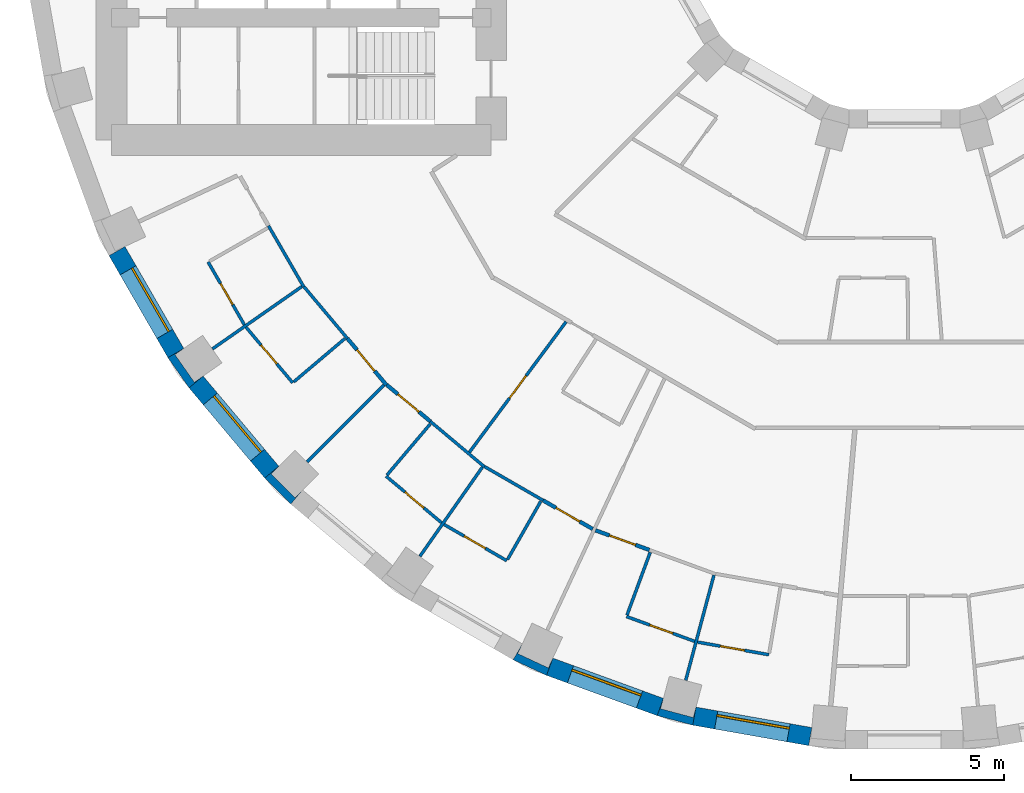
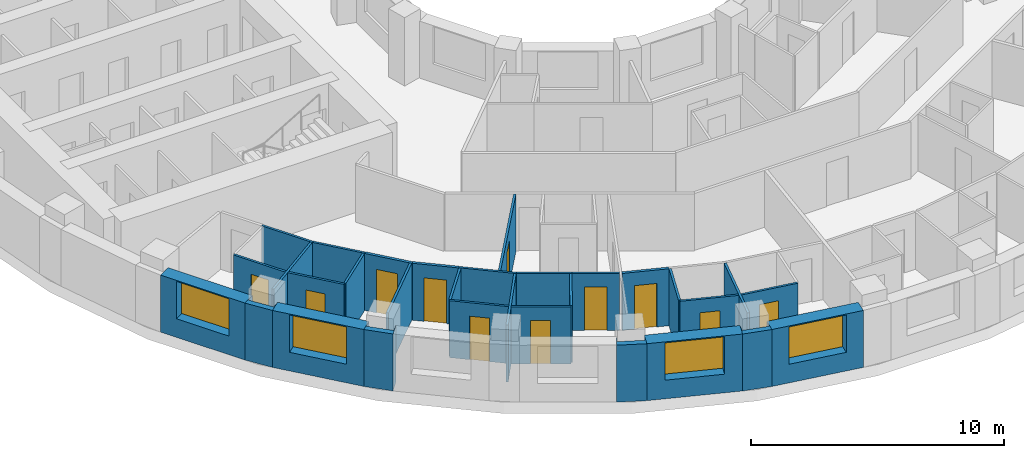
# One storey, part 4 of 15: 31 walls, 11 doors, 4 windows, 15 openings.
"""IFC4 building model written with IfcOpenShell, lengths in metres."""

import ifcopenshell
import ifcopenshell.guid

model = None  # the IFC model being written
_history = None  # IfcOwnerHistory: only IFC2X3 demands one
_inside = {}  # id of a spatial element -> (the spatial element, [elements in it])
_under = {}  # id of a project, library or spatial element -> (it, [spatial elements below it])
_declared = {}  # id of a project -> (the project, [libraries it declares])
_typed = {}  # id of a type object -> (the type object, [elements of that type])
_made_of = {}  # id of a material, layer set ... -> (it, [elements and type objects made of it])


def new_model(schema):
    """Start an empty IFC model of exactly this schema.

    Asked for "IFC4X3", IfcOpenShell would pick the latest addendum, in which some entities
    have other attributes; the version numbers below select the first issue.
    IFC2X3 requires an IfcOwnerHistory on every rooted entity: one is made here for all.
    """
    global model, _history
    if schema == "IFC4X3":
        model = ifcopenshell.file(schema_version=(4, 3, 0, 0))
    else:
        model = ifcopenshell.file(schema=schema)
    _inside.clear()
    _under.clear()
    _declared.clear()
    _typed.clear()
    _made_of.clear()
    _history = None
    if model.schema == "IFC2X3":
        org = make("IfcOrganization", Name="unknown")
        user = make(
            "IfcPersonAndOrganization",
            ThePerson=make("IfcPerson", FamilyName="unknown"),
            TheOrganization=org,
        )
        app = make(
            "IfcApplication",
            ApplicationDeveloper=org,
            Version="unknown",
            ApplicationFullName="unknown",
            ApplicationIdentifier="unknown",
        )
        _history = make(
            "IfcOwnerHistory",
            OwningUser=user,
            OwningApplication=app,
            ChangeAction="ADDED",
            CreationDate=0,
        )
    return model


def make(cls, **values):
    """One entity of the class cls with the attributes given. An attribute that is None is left unset."""
    return model.create_entity(
        cls, **{name: value for name, value in values.items() if value is not None}
    )


def rooted(cls, **values):
    """An entity with a GlobalId (a new one), such as an element, a storey or a relation."""
    return make(cls, GlobalId=ifcopenshell.guid.new(), OwnerHistory=_history, **values)


def si_unit(unit_type, name, prefix=None):
    """IfcSIUnit, for example si_unit("LENGTHUNIT", "METRE", prefix="MILLI")."""
    return make("IfcSIUnit", UnitType=unit_type, Prefix=prefix, Name=name)


def assignment(units):
    """IfcUnitAssignment: the units of a project."""
    return None if units is None else make("IfcUnitAssignment", Units=units)


def point(xyz):
    """IfcCartesianPoint."""
    return None if xyz is None else make("IfcCartesianPoint", Coordinates=xyz)


def direction(xyz):
    """IfcDirection."""
    return None if xyz is None else make("IfcDirection", DirectionRatios=xyz)


def frame(location, z_axis=None, x_axis=None):
    """IfcAxis2Placement3D, a coordinate frame: its origin and axes. An axis left out is left unset."""
    return make(
        "IfcAxis2Placement3D",
        Location=point(location),
        Axis=direction(z_axis),
        RefDirection=direction(x_axis),
    )


def frame_2d(location, x_axis=None):
    """IfcAxis2Placement2D, a coordinate frame in the plane: its origin and x axis."""
    return make(
        "IfcAxis2Placement2D", Location=point(location), RefDirection=direction(x_axis)
    )


def origin():
    """The frame at (0, 0, 0) with its axes left unset."""
    return frame((0.0, 0.0, 0.0))


def place(relative_to, where):
    """IfcLocalPlacement: puts the frame where relative to a parent placement (None: the world)."""
    return make(
        "IfcLocalPlacement", PlacementRelTo=relative_to, RelativePlacement=where
    )


def context(
    kind, dimensions, precision=None, world=None, true_north=None, identifier=None
):
    """IfcGeometricRepresentationContext, for example the 3D "Model" context."""
    return make(
        "IfcGeometricRepresentationContext",
        ContextIdentifier=identifier,
        ContextType=kind,
        CoordinateSpaceDimension=dimensions,
        Precision=precision,
        WorldCoordinateSystem=world,
        TrueNorth=true_north,
    )


def subcontext(parent, identifier, kind, view, scale=None):
    """IfcGeometricRepresentationSubContext, for example "Body" below "Model"."""
    return make(
        "IfcGeometricRepresentationSubContext",
        ContextIdentifier=identifier,
        ContextType=kind,
        ParentContext=parent,
        TargetScale=scale,
        TargetView=view,
    )


def project(units=None, contexts=None):
    """IfcProject with its units and contexts."""
    return rooted(
        "IfcProject",
        Name="project",
        RepresentationContexts=contexts,
        UnitsInContext=assignment(units),
    )


def spatial(cls, under=None, at=None, **own):
    """A site, building, storey or space (cls), placed at a placement, below another one or the project."""
    s = rooted(cls, ObjectPlacement=at, **own)
    if under is not None:
        _under.setdefault(under.id(), (under, []))[1].append(s)
    return s


def polyline(points):
    """IfcPolyline through the points."""
    return make("IfcPolyline", Points=[point(p) for p in points])


def profile(cls, at=None, kind="AREA", **sizes):
    """A parametric profile (cls). Its sizes go by their IFC names, for example OverallWidth=200.0."""
    return make(cls, ProfileType=kind, Position=at, **sizes)


def rectangle(**sizes):
    """IfcRectangleProfileDef."""
    return profile("IfcRectangleProfileDef", **sizes)


def outline(outer, holes=None, kind="AREA"):
    """IfcArbitraryClosedProfileDef: a profile drawn as a closed curve; with holes, ...WithVoids."""
    if holes is None:
        return make("IfcArbitraryClosedProfileDef", ProfileType=kind, OuterCurve=outer)
    return make(
        "IfcArbitraryProfileDefWithVoids",
        ProfileType=kind,
        OuterCurve=outer,
        InnerCurves=holes,
    )


def extrude(swept, where, along, depth):
    """IfcExtrudedAreaSolid: the profile swept, set in the frame where, extruded along a direction by depth."""
    return make(
        "IfcExtrudedAreaSolid",
        SweptArea=swept,
        Position=where,
        ExtrudedDirection=direction(along),
        Depth=depth,
    )


def shape(context_of_items, identifier, shape_type, items):
    """IfcShapeRepresentation: the items that make up one representation, for example the "Body"."""
    return make(
        "IfcShapeRepresentation",
        ContextOfItems=context_of_items,
        RepresentationIdentifier=identifier,
        RepresentationType=shape_type,
        Items=items,
    )


def material(Name=None, Category=None):
    """IfcMaterial."""
    return make("IfcMaterial", Name=Name, Category=Category)


def layer(
    of_material, thickness, ventilated=None, Name=None, Category=None, Priority=None
):
    """IfcMaterialLayer: one layer of a wall or slab, of a material (None: an air gap)."""
    return make(
        "IfcMaterialLayer",
        Material=of_material,
        LayerThickness=thickness,
        IsVentilated=ventilated,
        Name=Name,
        Category=Category,
        Priority=Priority,
    )


def layer_set(layers, Name=None):
    """IfcMaterialLayerSet."""
    return make("IfcMaterialLayerSet", MaterialLayers=layers, LayerSetName=Name)


def made_of(thing, what):
    """Note that an element or type object is made of a material, layer set ...; save() writes the relation."""
    if what is not None:
        _made_of.setdefault(what.id(), (what, []))[1].append(thing)
    return thing


def type_object(cls, material=None, **own):
    """A type object (cls), such as IfcWallType, which elements share."""
    return made_of(rooted(cls, **own), material)


def element(
    cls,
    number,
    at=None,
    inside=None,
    cuts=None,
    type_object=None,
    material=None,
    context=None,
    identifier="Body",
    shape_type=None,
    held_by="IfcProductDefinitionShape",
    body=None,
    shapes=None,
    **own,
):
    """One element of the class cls, such as IfcWall. Its Tag is "e" and its number.

    at: its placement. inside: the storey or other place that contains it. cuts: it is an
    opening in that element (IfcRelVoidsElement). A single representation is given by context,
    identifier, shape_type and body (its items); several are given by shapes. held_by: the class
    of the entity that holds the representations. save() writes the other relations.
    """
    e = rooted(cls, Tag="e%d" % number, ObjectPlacement=at, **own)
    if body is not None:
        shapes = [shape(context, identifier, shape_type, body)]
    if shapes is not None:
        e.Representation = make(held_by, Representations=shapes)
    if inside is not None:
        _inside.setdefault(inside.id(), (inside, []))[1].append(e)
    if cuts is not None:
        rooted(
            "IfcRelVoidsElement", RelatingBuildingElement=cuts, RelatedOpeningElement=e
        )
    if type_object is not None:
        _typed.setdefault(type_object.id(), (type_object, []))[1].append(e)
    return made_of(e, material)


def fill(opening, filler):
    """IfcRelFillsElement: the door or window that sits in an opening."""
    return rooted(
        "IfcRelFillsElement",
        RelatingOpeningElement=opening,
        RelatedBuildingElement=filler,
    )


def aggregate(whole, parts):
    """IfcRelAggregates: a whole, such as a stair, and the parts it consists of."""
    return rooted("IfcRelAggregates", RelatingObject=whole, RelatedObjects=parts)


def save(model, path):
    """Write the relations noted so far, then the file.

    IfcRelAggregates (storeys below a building ...), IfcRelContainedInSpatialStructure (elements
    in a storey), IfcRelDefinesByType, IfcRelAssociatesMaterial and IfcRelDeclares: one each for
    every whole, place, type object, material and project.
    """
    for whole, parts in _under.values():
        aggregate(whole, parts)
    for where, things in _inside.values():
        rooted(
            "IfcRelContainedInSpatialStructure",
            RelatedElements=things,
            RelatingStructure=where,
        )
    for kind, things in _typed.values():
        rooted("IfcRelDefinesByType", RelatedObjects=things, RelatingType=kind)
    for what, things in _made_of.values():
        rooted("IfcRelAssociatesMaterial", RelatedObjects=things, RelatingMaterial=what)
    for by, libraries in _declared.values():
        rooted("IfcRelDeclares", RelatingContext=by, RelatedDefinitions=libraries)
    model.write(path)


model = new_model("IFC4")

# Units and contexts
model_context = context("Model", 3, precision=1e-05, world=origin(), true_north=direction((0.0, 1.0)))
body_context = subcontext(model_context, "Body", "Model", "MODEL_VIEW")
ifc_project = project(units=[si_unit("LENGTHUNIT", "METRE"), si_unit("AREAUNIT", "SQUARE_METRE"), si_unit("VOLUMEUNIT", "CUBIC_METRE"), si_unit("PLANEANGLEUNIT", "RADIAN"), si_unit("MASSUNIT", "GRAM", prefix="KILO")], contexts=[model_context])

# Site, building, storey
site_placement = place(None, origin())
site = spatial("IfcSite", under=ifc_project, at=site_placement, CompositionType="ELEMENT")
building_placement = place(site_placement, origin())
building = spatial("IfcBuilding", under=site, at=building_placement, Name="Saqina Gate Tower", CompositionType="ELEMENT")
storey_placement = place(building_placement, frame((0.0, 0.0, 36.199951171875)))
storey = spatial("IfcBuildingStorey", under=building, at=storey_placement, Name="L09", CompositionType="ELEMENT", Elevation=36.199951171875)

# Walls
ifc_material_1 = material(Name="Brick masonry (red)", Category="masonry")
wall_type_1 = type_object("IfcWallType", Name="BRICK PIER COPING RED", PredefinedType="SOLIDWALL", material=ifc_material_1)
wall_1_placement = place(storey_placement, origin())
element("IfcWall", 1, at=wall_1_placement, inside=storey, type_object=wall_type_1, Name="Pier cap L09 column 22", PredefinedType="SOLIDWALL", context=body_context, shape_type="SweptSolid", body=[
    extrude(outline(polyline([(-24.0576171875, -16.110107421875), (-23.36669921875, -17.096923828125), (-22.9072265625, -16.711181640625), (-23.194091796875, -16.912109375), (-23.8251953125, -16.010986328125), (-23.5380859375, -15.81005859375), (-24.0576171875, -16.110107421875)])), origin(), (0.0, 0.0, 1.0), 2.75),
])
wall_2_placement = place(storey_placement, origin())
element("IfcWall", 2, at=wall_2_placement, inside=storey, type_object=wall_type_1, Name="Pier cap L09 column 23", PredefinedType="SOLIDWALL", context=body_context, shape_type="SweptSolid", body=[
    extrude(outline(polyline([(-20.04296875, -20.894775390625), (-19.6572265625, -20.43505859375), (-19.905029296875, -20.682861328125), (-20.682861328125, -19.905029296875), (-20.43505859375, -19.6572265625), (-20.894775390625, -20.04296875), (-20.04296875, -20.894775390625)])), origin(), (0.0, 0.0, 1.0), 2.75),
])
wall_3_placement = place(storey_placement, origin())
element("IfcWall", 3, at=wall_3_placement, inside=storey, type_object=wall_type_1, Name="Pier cap L09 column 25", PredefinedType="SOLIDWALL", context=body_context, shape_type="SweptSolid", body=[
    extrude(outline(polyline([(-11.687744140625, -26.48974609375), (-11.482666015625, -25.92578125), (-11.630615234375, -26.243408203125), (-12.627685546875, -25.778564453125), (-12.4794921875, -25.4609375), (-12.779541015625, -25.980712890625), (-11.687744140625, -26.48974609375)])), origin(), (0.0, 0.0, 1.0), 2.75),
])
wall_4_placement = place(storey_placement, origin())
element("IfcWall", 4, at=wall_4_placement, inside=storey, type_object=wall_type_1, Name="Pier cap L09 column 26", PredefinedType="SOLIDWALL", context=body_context, shape_type="SweptSolid", body=[
    extrude(outline(polyline([(-6.910400390625, -28.11669921875), (-6.80615234375, -27.52587890625), (-6.896728515625, -27.864501953125), (-7.95947265625, -27.57958984375), (-7.86865234375, -27.2412109375), (-8.073974609375, -27.80517578125), (-6.910400390625, -28.11669921875)])), origin(), (0.0, 0.0, 1.0), 2.75),
])

# Wall, opening, window
ifc_material_2 = material(Name="Brick masonry (red)", Category="masonry")
ifc_layer_1 = layer(ifc_material_2, 0.60009765625)
ifc_layer_set_1 = layer_set([ifc_layer_1], Name="FW-BRICK-RED")
wall_type_2 = type_object("IfcWallType", Name="FW-BRICK-RED", PredefinedType="SOLIDWALL", material=ifc_layer_set_1)
wall_5_placement = place(storey_placement, frame((-25.720703125, -12.629638671875, 0.0), z_axis=(0.0, 0.0, 1.0), x_axis=(0.499989888488, -0.86603124159, 0.0)))
wall_5 = element("IfcWall", 5, at=wall_5_placement, inside=storey, type_object=wall_type_2, Name="Facade wall L09 facet 21", PredefinedType="SOLIDWALL", context=body_context, shape_type="SweptSolid", body=[
    extrude(rectangle(XDim=3.845703125, YDim=0.60009765625, at=frame_2d((1.9228515625, 0.0))), origin(), (0.0, 0.0, 1.0), 2.75),
])
opening_1_placement = place(wall_5_placement, frame((0.722900390625, 0.0, 0.89990234375)))
opening_1 = element("IfcOpeningElement", 6, at=opening_1_placement, cuts=wall_5, Name="Opening G02-W14", PredefinedType="OPENING", context=body_context, shape_type="SweptSolid", body=[
    extrude(rectangle(XDim=2.39990234375, YDim=1.800048828125, at=frame_2d((1.199951171875, 0.89990234375))), frame((0.0, 0.31201171875, 0.0), z_axis=(0.0, -1.0, 0.0), x_axis=(1.0, 0.0, 0.0)), (0.0, 0.0, 1.0), 0.6240234375),
])
ifc_material_3 = material(Name="Aluminium glazing", Category="aluminium")
window_type = type_object("IfcWindowType", Name="WN-A", PartitioningType="SINGLE_PANEL", PredefinedType="WINDOW", material=ifc_material_3)
window_1_placement = place(opening_1_placement, origin())
window_1 = element("IfcWindow", 7, at=window_1_placement, inside=storey, type_object=window_type, Name="Window L09 facet 21", OverallHeight=1.800048828125, OverallWidth=2.39990234375, PartitioningType="SINGLE_PANEL", PredefinedType="WINDOW", context=body_context, shape_type="SweptSolid", body=[
    extrude(rectangle(XDim=2.39990234375, YDim=1.800048828125, at=frame_2d((1.199951171875, 0.89990234375))), frame((0.0, 0.179931640625, 0.0), z_axis=(0.0, -1.0, 0.0), x_axis=(1.0, 0.0, 0.0)), (0.0, 0.0, 1.0), 0.06005859375),
])
fill(opening_1, window_1)

wall_6_placement = place(storey_placement, frame((-23.136962890625, -16.904052734375, 0.0), z_axis=(0.0, 0.0, 1.0), x_axis=(0.642809392687, -0.766026164483, 0.0)))
wall_6 = element("IfcWall", 8, at=wall_6_placement, inside=storey, type_object=wall_type_2, Name="Facade wall L09 facet 22", PredefinedType="SOLIDWALL", context=body_context, shape_type="SweptSolid", body=[
    extrude(rectangle(XDim=3.845947265625, YDim=0.60009765625, at=frame_2d((1.9228515625, 0.0))), origin(), (0.0, 0.0, 1.0), 2.75),
])
opening_2_placement = place(wall_6_placement, frame((0.722900390625, 0.0, 0.89990234375)))
opening_2 = element("IfcOpeningElement", 9, at=opening_2_placement, cuts=wall_6, Name="Opening G02-W15", PredefinedType="OPENING", context=body_context, shape_type="SweptSolid", body=[
    extrude(rectangle(XDim=2.39990234375, YDim=1.800048828125, at=frame_2d((1.199951171875, 0.89990234375))), frame((0.0, 0.31201171875, 0.0), z_axis=(0.0, -1.0, 0.0), x_axis=(1.0, 0.0, 0.0)), (0.0, 0.0, 1.0), 0.6240234375),
])
window_2_placement = place(opening_2_placement, origin())
window_2 = element("IfcWindow", 10, at=window_2_placement, inside=storey, type_object=window_type, Name="Window L09 facet 22", OverallHeight=1.800048828125, OverallWidth=2.39990234375, PartitioningType="SINGLE_PANEL", PredefinedType="WINDOW", context=body_context, shape_type="SweptSolid", body=[
    extrude(rectangle(XDim=2.39990234375, YDim=1.800048828125, at=frame_2d((1.199951171875, 0.89990234375))), frame((0.0, 0.179931640625, 0.0), z_axis=(0.0, -1.0, 0.0), x_axis=(1.0, 0.0, 0.0)), (0.0, 0.0, 1.0), 0.06005859375),
])
fill(opening_2, window_2)

wall_7_placement = place(storey_placement, frame((-11.585205078125, -26.207763671875, 0.0), z_axis=(0.0, 0.0, 1.0), x_axis=(0.939689588564, -0.342028474173, 0.0)))
wall_7 = element("IfcWall", 11, at=wall_7_placement, inside=storey, type_object=wall_type_2, Name="Facade wall L09 facet 25", PredefinedType="SOLIDWALL", context=body_context, shape_type="SweptSolid", body=[
    extrude(rectangle(XDim=3.845947265625, YDim=0.60009765625, at=frame_2d((1.9228515625, 0.0))), origin(), (0.0, 0.0, 1.0), 2.75),
])
opening_3_placement = place(wall_7_placement, frame((0.722900390625, 0.0, 0.89990234375)))
opening_3 = element("IfcOpeningElement", 12, at=opening_3_placement, cuts=wall_7, Name="Opening G02-W18", PredefinedType="OPENING", context=body_context, shape_type="SweptSolid", body=[
    extrude(rectangle(XDim=2.39990234375, YDim=1.800048828125, at=frame_2d((1.199951171875, 0.89990234375))), frame((0.0, 0.31201171875, 0.0), z_axis=(0.0, -1.0, 0.0), x_axis=(1.0, 0.0, 0.0)), (0.0, 0.0, 1.0), 0.6240234375),
])
window_3_placement = place(opening_3_placement, origin())
window_3 = element("IfcWindow", 13, at=window_3_placement, inside=storey, type_object=window_type, Name="Window L09 facet 25", OverallHeight=1.800048828125, OverallWidth=2.39990234375, PartitioningType="SINGLE_PANEL", PredefinedType="WINDOW", context=body_context, shape_type="SweptSolid", body=[
    extrude(rectangle(XDim=2.39990234375, YDim=1.800048828125, at=frame_2d((1.199951171875, 0.89990234375))), frame((0.0, 0.179931640625, 0.0), z_axis=(0.0, -1.0, 0.0), x_axis=(1.0, 0.0, 0.0)), (0.0, 0.0, 1.0), 0.06005859375),
])
fill(opening_3, window_3)

wall_8_placement = place(storey_placement, frame((-6.858154296875, -27.8212890625, 0.0), z_axis=(0.0, 0.0, 1.0), x_axis=(0.984800809218, -0.173687553279, 0.0)))
wall_8 = element("IfcWall", 14, at=wall_8_placement, inside=storey, type_object=wall_type_2, Name="Facade wall L09 facet 26", PredefinedType="SOLIDWALL", context=body_context, shape_type="SweptSolid", body=[
    extrude(rectangle(XDim=3.845703125, YDim=0.60009765625, at=frame_2d((1.9228515625, 0.0))), origin(), (0.0, 0.0, 1.0), 2.75),
])
opening_4_placement = place(wall_8_placement, frame((0.722900390625, 0.0, 0.89990234375)))
opening_4 = element("IfcOpeningElement", 15, at=opening_4_placement, cuts=wall_8, Name="Opening G02-W19", PredefinedType="OPENING", context=body_context, shape_type="SweptSolid", body=[
    extrude(rectangle(XDim=2.39990234375, YDim=1.800048828125, at=frame_2d((1.199951171875, 0.89990234375))), frame((0.0, 0.31201171875, 0.0), z_axis=(0.0, -1.0, 0.0), x_axis=(1.0, 0.0, 0.0)), (0.0, 0.0, 1.0), 0.6240234375),
])
window_4_placement = place(opening_4_placement, origin())
window_4 = element("IfcWindow", 16, at=window_4_placement, inside=storey, type_object=window_type, Name="Window L09 facet 26", OverallHeight=1.800048828125, OverallWidth=2.39990234375, PartitioningType="SINGLE_PANEL", PredefinedType="WINDOW", context=body_context, shape_type="SweptSolid", body=[
    extrude(rectangle(XDim=2.39990234375, YDim=1.800048828125, at=frame_2d((1.199951171875, 0.89990234375))), frame((0.0, 0.179931640625, 0.0), z_axis=(0.0, -1.0, 0.0), x_axis=(1.0, 0.0, 0.0)), (0.0, 0.0, 1.0), 0.06005859375),
])
fill(opening_4, window_4)

# Wall, opening, door
ifc_material_4 = material(Name="Gypsum board on steel studs, 100 mm", Category="steel")
ifc_layer_2 = layer(ifc_material_4, 0.10009765625)
ifc_layer_set_2 = layer_set([ifc_layer_2], Name="PARTITION 100")
wall_type_3 = type_object("IfcWallType", Name="PARTITION 100", PredefinedType="PARTITIONING", material=ifc_layer_set_2)
wall_9_placement = place(storey_placement, frame((-22.743896484375, -12.985107421875, 0.0), z_axis=(0.0, 0.0, 1.0), x_axis=(0.499987246797, -0.866032766724, 0.0)))
wall_9 = element("IfcWall", 17, at=wall_9_placement, inside=storey, type_object=wall_type_3, Name="PARTITION PW3-23", PredefinedType="PARTITIONING", context=body_context, shape_type="SweptSolid", body=[
    extrude(rectangle(XDim=2.36767578125, YDim=0.10009765625, at=frame_2d((1.183837890625, 0.0))), origin(), (0.0, 0.0, 1.0), 2.75),
])
opening_5_placement = place(wall_9_placement, frame((0.80908203125, 0.0, 0.0)))
opening_5 = element("IfcOpeningElement", 18, at=opening_5_placement, cuts=wall_9, Name="Opening G02-D33", PredefinedType="OPENING", context=body_context, shape_type="SweptSolid", body=[
    extrude(rectangle(XDim=0.800048828125, YDim=2.10009765625, at=frame_2d((0.39990234375, 1.050048828125))), frame((0.0, 0.06201171875, 0.0), z_axis=(0.0, -1.0, 0.0), x_axis=(1.0, 0.0, 0.0)), (0.0, 0.0, 1.0), 0.1240234375),
])
ifc_material_5 = material(Name="Timber door leaf, 800 mm", Category="wood")
door_type_1 = type_object("IfcDoorType", Name="DOOR 800 TIMBER", OperationType="SINGLE_SWING_LEFT", PredefinedType="DOOR", material=ifc_material_5)
door_1_placement = place(opening_5_placement, frame((0.800048828125, 0.0, 0.0), z_axis=(0.0, 0.0, 1.0), x_axis=(-1.0, 0.0, 0.0)))
door_1 = element("IfcDoor", 19, at=door_1_placement, inside=storey, type_object=door_type_1, Name="DOOR G02-D33", OperationType="SINGLE_SWING_LEFT", OverallHeight=2.10009765625, OverallWidth=0.800048828125, PredefinedType="DOOR", context=body_context, shape_type="SweptSolid", body=[
    extrude(rectangle(XDim=0.800048828125, YDim=2.10009765625, at=frame_2d((0.39990234375, 1.050048828125))), frame((0.0, 0.02490234375, 0.0), z_axis=(0.0, -1.0, 0.0), x_axis=(1.0, 0.0, 0.0)), (0.0, 0.0, 1.0), 0.050048828125),
])
fill(opening_5, door_1)

# Wall
wall_10_placement = place(storey_placement, frame((-20.77197265625, -11.8017578125, 0.0), z_axis=(0.0, 0.0, 1.0), x_axis=(0.500055369823, -0.865993433642, 0.0)))
element("IfcWall", 20, at=wall_10_placement, inside=storey, type_object=wall_type_3, Name="PARTITION PW3-24", PredefinedType="PARTITIONING", context=body_context, shape_type="SweptSolid", body=[
    extrude(rectangle(XDim=2.306396484375, YDim=0.10009765625, at=frame_2d((1.1533203125, 0.0))), origin(), (0.0, 0.0, 1.0), 2.75),
])

# Wall, opening, door
wall_11_placement = place(storey_placement, frame((-21.5029296875, -15.1171875, 0.0), z_axis=(0.0, 0.0, 1.0), x_axis=(0.642807507344, -0.766027746561, 0.0)))
wall_11 = element("IfcWall", 21, at=wall_11_placement, inside=storey, type_object=wall_type_3, Name="PARTITION PW3-30", PredefinedType="PARTITIONING", context=body_context, shape_type="SweptSolid", body=[
    extrude(rectangle(XDim=2.36767578125, YDim=0.10009765625, at=frame_2d((1.183837890625, 0.0))), origin(), (0.0, 0.0, 1.0), 2.75),
])
opening_6_placement = place(wall_11_placement, frame((0.7587890625, 0.0, 0.0)))
opening_6 = element("IfcOpeningElement", 22, at=opening_6_placement, cuts=wall_11, Name="Opening G02-D34", PredefinedType="OPENING", context=body_context, shape_type="SweptSolid", body=[
    extrude(rectangle(XDim=0.800048828125, YDim=2.10009765625, at=frame_2d((0.39990234375, 1.050048828125))), frame((0.0, 0.06201171875, 0.0), z_axis=(0.0, -1.0, 0.0), x_axis=(1.0, 0.0, 0.0)), (0.0, 0.0, 1.0), 0.1240234375),
])
door_2_placement = place(opening_6_placement, frame((0.800048828125, 0.0, 0.0), z_axis=(0.0, 0.0, 1.0), x_axis=(-1.0, 0.0, 0.0)))
door_2 = element("IfcDoor", 23, at=door_2_placement, inside=storey, type_object=door_type_1, Name="DOOR G02-D34", OperationType="SINGLE_SWING_RIGHT", OverallHeight=2.10009765625, OverallWidth=0.800048828125, PredefinedType="DOOR", context=body_context, shape_type="SweptSolid", body=[
    extrude(rectangle(XDim=0.800048828125, YDim=2.10009765625, at=frame_2d((0.39990234375, 1.050048828125))), frame((0.0, 0.02490234375, 0.0), z_axis=(0.0, -1.0, 0.0), x_axis=(1.0, 0.0, 0.0)), (0.0, 0.0, 1.0), 0.050048828125),
])
fill(opening_6, door_2)

# Wall
wall_12_placement = place(storey_placement, frame((-19.61181640625, -13.793212890625, 0.0), z_axis=(0.0, 0.0, 1.0), x_axis=(0.642989550085, -0.765874949637, 0.0)))
element("IfcWall", 24, at=wall_12_placement, inside=storey, type_object=wall_type_3, Name="PARTITION PW3-31", PredefinedType="PARTITIONING", context=body_context, shape_type="SweptSolid", body=[
    extrude(rectangle(XDim=2.205322265625, YDim=0.10009765625, at=frame_2d((1.1025390625, 0.0))), origin(), (0.0, 0.0, 1.0), 2.75),
])

# Wall, opening, door
wall_13_placement = place(storey_placement, frame((-16.930908203125, -19.98095703125, 0.0), z_axis=(0.0, 0.0, 1.0), x_axis=(0.766027746561, -0.642807507344, 0.0)))
wall_13 = element("IfcWall", 25, at=wall_13_placement, inside=storey, type_object=wall_type_3, Name="PARTITION PW3-36", PredefinedType="PARTITIONING", context=body_context, shape_type="SweptSolid", body=[
    extrude(rectangle(XDim=2.36767578125, YDim=0.10009765625, at=frame_2d((1.183837890625, 0.0))), origin(), (0.0, 0.0, 1.0), 2.75),
])
opening_7_placement = place(wall_13_placement, frame((0.808837890625, 0.0, 0.0)))
opening_7 = element("IfcOpeningElement", 26, at=opening_7_placement, cuts=wall_13, Name="Opening G02-D37", PredefinedType="OPENING", context=body_context, shape_type="SweptSolid", body=[
    extrude(rectangle(XDim=0.800048828125, YDim=2.10009765625, at=frame_2d((0.39990234375, 1.050048828125))), frame((0.0, 0.06201171875, 0.0), z_axis=(0.0, -1.0, 0.0), x_axis=(1.0, 0.0, 0.0)), (0.0, 0.0, 1.0), 0.1240234375),
])
door_3_placement = place(opening_7_placement, frame((0.800048828125, 0.0, 0.0), z_axis=(0.0, 0.0, 1.0), x_axis=(-1.0, 0.0, 0.0)))
door_3 = element("IfcDoor", 27, at=door_3_placement, inside=storey, type_object=door_type_1, Name="DOOR G02-D37", OperationType="SINGLE_SWING_LEFT", OverallHeight=2.10009765625, OverallWidth=0.800048828125, PredefinedType="DOOR", context=body_context, shape_type="SweptSolid", body=[
    extrude(rectangle(XDim=0.800048828125, YDim=2.10009765625, at=frame_2d((0.39990234375, 1.050048828125))), frame((0.0, 0.02490234375, 0.0), z_axis=(0.0, -1.0, 0.0), x_axis=(1.0, 0.0, 0.0)), (0.0, 0.0, 1.0), 0.050048828125),
])
fill(opening_7, door_3)

# Wall
wall_14_placement = place(storey_placement, frame((-15.482177734375, -18.19384765625, 0.0), z_axis=(0.0, 0.0, 1.0), x_axis=(0.765838323525, -0.643033173499, 0.0)))
element("IfcWall", 28, at=wall_14_placement, inside=storey, type_object=wall_type_3, Name="PARTITION PW3-37", PredefinedType="PARTITIONING", context=body_context, shape_type="SweptSolid", body=[
    extrude(rectangle(XDim=2.30615234375, YDim=0.10009765625, at=frame_2d((1.153076171875, 0.0))), origin(), (0.0, 0.0, 1.0), 2.75),
])

# Wall, opening, door
wall_15_placement = place(storey_placement, frame((-15.03564453125, -21.56005859375, 0.0), z_axis=(0.0, 0.0, 1.0), x_axis=(0.866032766724, -0.499987246797, 0.0)))
wall_15 = element("IfcWall", 29, at=wall_15_placement, inside=storey, type_object=wall_type_3, Name="PARTITION PW3-40", PredefinedType="PARTITIONING", context=body_context, shape_type="SweptSolid", body=[
    extrude(rectangle(XDim=2.36767578125, YDim=0.10009765625, at=frame_2d((1.183837890625, 0.0))), origin(), (0.0, 0.0, 1.0), 2.75),
])
opening_8_placement = place(wall_15_placement, frame((0.759033203125, 0.0, 0.0)))
opening_8 = element("IfcOpeningElement", 30, at=opening_8_placement, cuts=wall_15, Name="Opening G02-D41", PredefinedType="OPENING", context=body_context, shape_type="SweptSolid", body=[
    extrude(rectangle(XDim=0.800048828125, YDim=2.10009765625, at=frame_2d((0.39990234375, 1.050048828125))), frame((0.0, 0.06201171875, 0.0), z_axis=(0.0, -1.0, 0.0), x_axis=(1.0, 0.0, 0.0)), (0.0, 0.0, 1.0), 0.1240234375),
])
door_4_placement = place(opening_8_placement, frame((0.800048828125, 0.0, 0.0), z_axis=(0.0, 0.0, 1.0), x_axis=(-1.0, 0.0, 0.0)))
door_4 = element("IfcDoor", 31, at=door_4_placement, inside=storey, type_object=door_type_1, Name="DOOR G02-D41", OperationType="SINGLE_SWING_RIGHT", OverallHeight=2.10009765625, OverallWidth=0.800048828125, PredefinedType="DOOR", context=body_context, shape_type="SweptSolid", body=[
    extrude(rectangle(XDim=0.800048828125, YDim=2.10009765625, at=frame_2d((0.39990234375, 1.050048828125))), frame((0.0, 0.02490234375, 0.0), z_axis=(0.0, -1.0, 0.0), x_axis=(1.0, 0.0, 0.0)), (0.0, 0.0, 1.0), 0.050048828125),
])
fill(opening_8, door_4)

# Wall
wall_16_placement = place(storey_placement, frame((-13.711669921875, -19.6689453125, 0.0), z_axis=(0.0, 0.0, 1.0), x_axis=(0.865958826185, -0.500115298058, 0.0)))
element("IfcWall", 32, at=wall_16_placement, inside=storey, type_object=wall_type_3, Name="PARTITION PW3-41", PredefinedType="PARTITIONING", context=body_context, shape_type="SweptSolid", body=[
    extrude(rectangle(XDim=2.20556640625, YDim=0.10009765625, at=frame_2d((1.102783203125, 0.0))), origin(), (0.0, 0.0, 1.0), 2.75),
])

# Wall, opening, door
wall_17_placement = place(storey_placement, frame((-9.075927734375, -24.56689453125, 0.0), z_axis=(0.0, 0.0, 1.0), x_axis=(0.939654860842, -0.342123870106, 0.0)))
wall_17 = element("IfcWall", 33, at=wall_17_placement, inside=storey, type_object=wall_type_3, Name="PARTITION PW3-49", PredefinedType="PARTITIONING", context=body_context, shape_type="SweptSolid", body=[
    extrude(rectangle(XDim=2.36767578125, YDim=0.10009765625, at=frame_2d((1.183837890625, 0.0))), origin(), (0.0, 0.0, 1.0), 2.75),
])
opening_9_placement = place(wall_17_placement, frame((0.808837890625, 0.0, 0.0)))
opening_9 = element("IfcOpeningElement", 34, at=opening_9_placement, cuts=wall_17, Name="Opening G02-D47", PredefinedType="OPENING", context=body_context, shape_type="SweptSolid", body=[
    extrude(rectangle(XDim=0.800048828125, YDim=2.10009765625, at=frame_2d((0.39990234375, 1.050048828125))), frame((0.0, 0.06201171875, 0.0), z_axis=(0.0, -1.0, 0.0), x_axis=(1.0, 0.0, 0.0)), (0.0, 0.0, 1.0), 0.1240234375),
])
door_5_placement = place(opening_9_placement, frame((0.800048828125, 0.0, 0.0), z_axis=(0.0, 0.0, 1.0), x_axis=(-1.0, 0.0, 0.0)))
door_5 = element("IfcDoor", 35, at=door_5_placement, inside=storey, type_object=door_type_1, Name="DOOR G02-D47", OperationType="SINGLE_SWING_LEFT", OverallHeight=2.10009765625, OverallWidth=0.800048828125, PredefinedType="DOOR", context=body_context, shape_type="SweptSolid", body=[
    extrude(rectangle(XDim=0.800048828125, YDim=2.10009765625, at=frame_2d((0.39990234375, 1.050048828125))), frame((0.0, 0.02490234375, 0.0), z_axis=(0.0, -1.0, 0.0), x_axis=(1.0, 0.0, 0.0)), (0.0, 0.0, 1.0), 0.050048828125),
])
fill(opening_9, door_5)

wall_18_placement = place(storey_placement, frame((-6.754638671875, -25.402587890625, 0.0), z_axis=(0.0, 0.0, 1.0), x_axis=(0.984788748944, -0.173755920625, 0.0)))
wall_18 = element("IfcWall", 36, at=wall_18_placement, inside=storey, type_object=wall_type_3, Name="PARTITION PW3-53", PredefinedType="PARTITIONING", context=body_context, shape_type="SweptSolid", body=[
    extrude(rectangle(XDim=2.36767578125, YDim=0.10009765625, at=frame_2d((1.183837890625, 0.0))), origin(), (0.0, 0.0, 1.0), 2.75),
])
opening_10_placement = place(wall_18_placement, frame((0.7587890625, 0.0, 0.0)))
opening_10 = element("IfcOpeningElement", 37, at=opening_10_placement, cuts=wall_18, Name="Opening G02-D48", PredefinedType="OPENING", context=body_context, shape_type="SweptSolid", body=[
    extrude(rectangle(XDim=0.800048828125, YDim=2.10009765625, at=frame_2d((0.39990234375, 1.050048828125))), frame((0.0, 0.06201171875, 0.0), z_axis=(0.0, -1.0, 0.0), x_axis=(1.0, 0.0, 0.0)), (0.0, 0.0, 1.0), 0.1240234375),
])
door_6_placement = place(opening_10_placement, frame((0.800048828125, 0.0, 0.0), z_axis=(0.0, 0.0, 1.0), x_axis=(-1.0, 0.0, 0.0)))
door_6 = element("IfcDoor", 38, at=door_6_placement, inside=storey, type_object=door_type_1, Name="DOOR G02-D48", OperationType="SINGLE_SWING_RIGHT", OverallHeight=2.10009765625, OverallWidth=0.800048828125, PredefinedType="DOOR", context=body_context, shape_type="SweptSolid", body=[
    extrude(rectangle(XDim=0.800048828125, YDim=2.10009765625, at=frame_2d((0.39990234375, 1.050048828125))), frame((0.0, 0.02490234375, 0.0), z_axis=(0.0, -1.0, 0.0), x_axis=(1.0, 0.0, 0.0)), (0.0, 0.0, 1.0), 0.050048828125),
])
fill(opening_10, door_6)

# Walls
wall_19_placement = place(storey_placement, frame((-22.601806640625, -15.822998046875, 0.0), z_axis=(0.0, 0.0, 1.0), x_axis=(0.820194321254, 0.57208502461, 0.0)))
element("IfcWall", 39, at=wall_19_placement, inside=storey, type_object=wall_type_3, Name="PARTITION PW3-82", PredefinedType="PARTITIONING", context=body_context, shape_type="SweptSolid", body=[
    extrude(rectangle(XDim=3.55908203125, YDim=0.10009765625, at=frame_2d((1.779541015625, 0.0))), origin(), (0.0, 0.0, 1.0), 2.75),
])
wall_20_placement = place(storey_placement, frame((-19.94287109375, -16.898681640625, 0.0), z_axis=(0.0, 0.0, 1.0), x_axis=(0.762954369322, 0.646452341887, 0.0)))
element("IfcWall", 40, at=wall_20_placement, inside=storey, type_object=wall_type_3, Name="PARTITION PW3-86", PredefinedType="PARTITIONING", context=body_context, shape_type="SweptSolid", body=[
    extrude(rectangle(XDim=2.187744140625, YDim=0.10009765625, at=frame_2d((1.09375, 0.0))), origin(), (0.0, 0.0, 1.0), 2.75),
])
wall_21_placement = place(storey_placement, frame((-19.509033203125, -19.509033203125, 0.0), z_axis=(0.0, 0.0, 1.0), x_axis=(0.707106781187, 0.707106781187, 0.0)))
element("IfcWall", 41, at=wall_21_placement, inside=storey, type_object=wall_type_3, Name="PARTITION PW3-89", PredefinedType="PARTITIONING", context=body_context, shape_type="SweptSolid", body=[
    extrude(rectangle(XDim=3.546630859375, YDim=0.10009765625, at=frame_2d((1.7734375, 0.0))), origin(), (0.0, 0.0, 1.0), 2.75),
])
wall_22_placement = place(storey_placement, frame((-16.898681640625, -19.94287109375, 0.0), z_axis=(0.0, 0.0, 1.0), x_axis=(0.646452341887, 0.762954369322, 0.0)))
element("IfcWall", 42, at=wall_22_placement, inside=storey, type_object=wall_type_3, Name="PARTITION PW3-91", PredefinedType="PARTITIONING", context=body_context, shape_type="SweptSolid", body=[
    extrude(rectangle(XDim=2.187744140625, YDim=0.10009765625, at=frame_2d((1.09375, 0.0))), origin(), (0.0, 0.0, 1.0), 2.75),
])

# Wall, opening, door
wall_23_placement = place(storey_placement, frame((-14.20703125, -19.199462890625, 0.0), z_axis=(0.0, 0.0, 1.0), x_axis=(0.595318943931, 0.80348948655, 0.0)))
wall_23 = element("IfcWall", 43, at=wall_23_placement, inside=storey, type_object=wall_type_3, Name="PARTITION PW3-95", PredefinedType="PARTITIONING", context=body_context, shape_type="SweptSolid", body=[
    extrude(rectangle(XDim=5.30224609375, YDim=0.10009765625, at=frame_2d((2.651123046875, 0.0))), origin(), (0.0, 0.0, 1.0), 2.75),
])
opening_11_placement = place(wall_23_placement, frame((2.20703125, 0.0, 0.0)))
opening_11 = element("IfcOpeningElement", 44, at=opening_11_placement, cuts=wall_23, Name="Opening G02-D39", PredefinedType="OPENING", context=body_context, shape_type="SweptSolid", body=[
    extrude(rectangle(XDim=0.89990234375, YDim=2.10009765625, at=frame_2d((0.449951171875, 1.050048828125))), frame((0.0, 0.06201171875, 0.0), z_axis=(0.0, -1.0, 0.0), x_axis=(1.0, 0.0, 0.0)), (0.0, 0.0, 1.0), 0.1240234375),
])
ifc_material_6 = material(Name="Timber door leaf, 900 mm", Category="wood")
door_type_2 = type_object("IfcDoorType", Name="DOOR 900 TIMBER", OperationType="SINGLE_SWING_LEFT", PredefinedType="DOOR", material=ifc_material_6)
door_7_placement = place(opening_11_placement, origin())
door_7 = element("IfcDoor", 45, at=door_7_placement, inside=storey, type_object=door_type_2, Name="DOOR G02-D39", OperationType="SINGLE_SWING_RIGHT", OverallHeight=2.10009765625, OverallWidth=0.89990234375, PredefinedType="DOOR", context=body_context, shape_type="SweptSolid", body=[
    extrude(rectangle(XDim=0.89990234375, YDim=2.10009765625, at=frame_2d((0.449951171875, 1.050048828125))), frame((0.0, 0.02490234375, 0.0), z_axis=(0.0, -1.0, 0.0), x_axis=(1.0, 0.0, 0.0)), (0.0, 0.0, 1.0), 0.050048828125),
])
fill(opening_11, door_7)

# Walls
wall_24_placement = place(storey_placement, frame((-15.824951171875, -22.600341796875, 0.0), z_axis=(0.0, 0.0, 1.0), x_axis=(0.573536002802, 0.819180354678, 0.0)))
element("IfcWall", 46, at=wall_24_placement, inside=storey, type_object=wall_type_3, Name="PARTITION PW3-97", PredefinedType="PARTITIONING", context=body_context, shape_type="SweptSolid", body=[
    extrude(rectangle(XDim=3.55908203125, YDim=0.10009765625, at=frame_2d((1.779541015625, 0.0))), origin(), (0.0, 0.0, 1.0), 2.75),
])
for number, where, z_axis, x_axis, name in (
    (47, (-12.960205078125, -22.70068359375, 0.0), (0.0, 0.0, 1.0), (0.495742176046, 0.86846974322, 0.0), "PARTITION PW3-101"),
    (48, (-9.05859375, -24.52001953125, 0.0), (0.0, 0.0, 1.0), (0.346507080222, 0.93804735667, 0.0), "PARTITION PW3-105"),
):
    element("IfcWall", number, at=place(storey_placement, frame(where, z_axis=z_axis, x_axis=x_axis)), inside=storey, type_object=wall_type_3, Name=name, PredefinedType="PARTITIONING", context=body_context, shape_type="SweptSolid", body=[
        extrude(rectangle(XDim=2.18701171875, YDim=0.10009765625, at=frame_2d((1.093505859375, 0.0))), origin(), (0.0, 0.0, 1.0), 2.75),
    ])
wall_25_placement = place(storey_placement, frame((-7.140869140625, -26.64990234375, 0.0), z_axis=(0.0, 0.0, 1.0), x_axis=(0.259045837699, 0.965865028858, 0.0)))
element("IfcWall", 49, at=wall_25_placement, inside=storey, type_object=wall_type_3, Name="PARTITION PW3-108", PredefinedType="PARTITIONING", context=body_context, shape_type="SweptSolid", body=[
    extrude(rectangle(XDim=3.558837890625, YDim=0.10009765625, at=frame_2d((1.779296875, 0.0))), origin(), (0.0, 0.0, 1.0), 2.75),
])

# Wall, opening, door
ifc_material_7 = material(Name="Gypsum board on steel studs, 125 mm, fire rated", Category="steel")
ifc_layer_3 = layer(ifc_material_7, 0.125)
ifc_layer_set_3 = layer_set([ifc_layer_3], Name="PARTITION EI 30 125")
wall_type_4 = type_object("IfcWallType", Name="PARTITION EI 30 125", PredefinedType="PARTITIONING", material=ifc_layer_set_3)
wall_26_placement = place(storey_placement, frame((-18.19384765625, -15.482421875, 0.0), z_axis=(0.0, 0.0, 1.0), x_axis=(0.642633191675, -0.766173988698, 0.0)))
wall_26 = element("IfcWall", 50, at=wall_26_placement, inside=storey, type_object=wall_type_4, Name="PARTITION PW1-07", PredefinedType="PARTITIONING", context=body_context, shape_type="SweptSolid", body=[
    extrude(rectangle(XDim=1.988037109375, YDim=0.125, at=frame_2d((0.994140625, 0.0))), origin(), (0.0, 0.0, 1.0), 2.75),
])
opening_12_placement = place(wall_26_placement, frame((0.4873046875, 0.0, 0.0)))
opening_12 = element("IfcOpeningElement", 51, at=opening_12_placement, cuts=wall_26, Name="Opening G02-D35", PredefinedType="OPENING", context=body_context, shape_type="SweptSolid", body=[
    extrude(rectangle(XDim=0.89990234375, YDim=2.10009765625, at=frame_2d((0.449951171875, 1.050048828125))), frame((0.0, 0.074462890625, 0.0), z_axis=(0.0, -1.0, 0.0), x_axis=(1.0, 0.0, 0.0)), (0.0, 0.0, 1.0), 0.14892578125),
])
ifc_material_8 = material(Name="Fire door leaf EI 30, 900 mm")
door_type_3 = type_object("IfcDoorType", Name="DOOR 900 EI 30", OperationType="SINGLE_SWING_LEFT", PredefinedType="DOOR", material=ifc_material_8)
door_8_placement = place(opening_12_placement, origin())
door_8 = element("IfcDoor", 52, at=door_8_placement, inside=storey, type_object=door_type_3, Name="DOOR G02-D35", OperationType="SINGLE_SWING_RIGHT", OverallHeight=2.10009765625, OverallWidth=0.89990234375, PredefinedType="DOOR", context=body_context, shape_type="SweptSolid", body=[
    extrude(rectangle(XDim=0.89990234375, YDim=2.10009765625, at=frame_2d((0.449951171875, 1.050048828125))), frame((0.0, 0.02490234375, 0.0), z_axis=(0.0, -1.0, 0.0), x_axis=(1.0, 0.0, 0.0)), (0.0, 0.0, 1.0), 0.050048828125),
])
fill(opening_12, door_8)

wall_27_placement = place(storey_placement, frame((-16.9091796875, -16.9970703125, 0.0), z_axis=(0.0, 0.0, 1.0), x_axis=(0.766154061521, -0.642656948935, 0.0)))
wall_27 = element("IfcWall", 53, at=wall_27_placement, inside=storey, type_object=wall_type_4, Name="PARTITION PW1-12", PredefinedType="PARTITIONING", context=body_context, shape_type="SweptSolid", body=[
    extrude(rectangle(XDim=1.8623046875, YDim=0.125, at=frame_2d((0.93115234375, 0.0))), origin(), (0.0, 0.0, 1.0), 2.75),
])
opening_13_placement = place(wall_27_placement, frame((0.474853515625, 0.0, 0.0)))
opening_13 = element("IfcOpeningElement", 54, at=opening_13_placement, cuts=wall_27, Name="Opening G02-D36", PredefinedType="OPENING", context=body_context, shape_type="SweptSolid", body=[
    extrude(rectangle(XDim=0.89990234375, YDim=2.10009765625, at=frame_2d((0.449951171875, 1.050048828125))), frame((0.0, 0.074462890625, 0.0), z_axis=(0.0, -1.0, 0.0), x_axis=(1.0, 0.0, 0.0)), (0.0, 0.0, 1.0), 0.14892578125),
])
door_9_placement = place(opening_13_placement, origin())
door_9 = element("IfcDoor", 55, at=door_9_placement, inside=storey, type_object=door_type_3, Name="DOOR G02-D36", OperationType="SINGLE_SWING_LEFT", OverallHeight=2.10009765625, OverallWidth=0.89990234375, PredefinedType="DOOR", context=body_context, shape_type="SweptSolid", body=[
    extrude(rectangle(XDim=0.89990234375, YDim=2.10009765625, at=frame_2d((0.449951171875, 1.050048828125))), frame((0.0, 0.02490234375, 0.0), z_axis=(0.0, -1.0, 0.0), x_axis=(1.0, 0.0, 0.0)), (0.0, 0.0, 1.0), 0.050048828125),
])
fill(opening_13, door_9)

wall_28_placement = place(storey_placement, frame((-11.8017578125, -20.77197265625, 0.0), z_axis=(0.0, 0.0, 1.0), x_axis=(0.866103179807, -0.499865263774, 0.0)))
wall_28 = element("IfcWall", 56, at=wall_28_placement, inside=storey, type_object=wall_type_4, Name="PARTITION PW1-15", PredefinedType="PARTITIONING", context=body_context, shape_type="SweptSolid", body=[
    extrude(rectangle(XDim=1.87451171875, YDim=0.125, at=frame_2d((0.937255859375, 0.0))), origin(), (0.0, 0.0, 1.0), 2.75),
])
opening_14_placement = place(wall_28_placement, frame((0.4873046875, 0.0, 0.0)))
opening_14 = element("IfcOpeningElement", 57, at=opening_14_placement, cuts=wall_28, Name="Opening G02-D43", PredefinedType="OPENING", context=body_context, shape_type="SweptSolid", body=[
    extrude(rectangle(XDim=0.89990234375, YDim=2.10009765625, at=frame_2d((0.449951171875, 1.050048828125))), frame((0.0, 0.074462890625, 0.0), z_axis=(0.0, -1.0, 0.0), x_axis=(1.0, 0.0, 0.0)), (0.0, 0.0, 1.0), 0.14892578125),
])
door_10_placement = place(opening_14_placement, origin())
door_10 = element("IfcDoor", 58, at=door_10_placement, inside=storey, type_object=door_type_3, Name="DOOR G02-D43", OperationType="SINGLE_SWING_RIGHT", OverallHeight=2.10009765625, OverallWidth=0.89990234375, PredefinedType="DOOR", context=body_context, shape_type="SweptSolid", body=[
    extrude(rectangle(XDim=0.89990234375, YDim=2.10009765625, at=frame_2d((0.449951171875, 1.050048828125))), frame((0.0, 0.02490234375, 0.0), z_axis=(0.0, -1.0, 0.0), x_axis=(1.0, 0.0, 0.0)), (0.0, 0.0, 1.0), 0.050048828125),
])
fill(opening_14, door_10)

wall_29_placement = place(storey_placement, frame((-10.088134765625, -21.751220703125, 0.0), z_axis=(0.0, 0.0, 1.0), x_axis=(0.939656514106, -0.342119329325, 0.0)))
wall_29 = element("IfcWall", 59, at=wall_29_placement, inside=storey, type_object=wall_type_4, Name="PARTITION PW1-22", PredefinedType="PARTITIONING", context=body_context, shape_type="SweptSolid", body=[
    extrude(rectangle(XDim=1.87548828125, YDim=0.125, at=frame_2d((0.937744140625, 0.0))), origin(), (0.0, 0.0, 1.0), 2.75),
])
opening_15_placement = place(wall_29_placement, frame((0.487548828125, 0.0, 0.0)))
opening_15 = element("IfcOpeningElement", 60, at=opening_15_placement, cuts=wall_29, Name="Opening G02-D46", PredefinedType="OPENING", context=body_context, shape_type="SweptSolid", body=[
    extrude(rectangle(XDim=0.89990234375, YDim=2.10009765625, at=frame_2d((0.449951171875, 1.050048828125))), frame((0.0, 0.074462890625, 0.0), z_axis=(0.0, -1.0, 0.0), x_axis=(1.0, 0.0, 0.0)), (0.0, 0.0, 1.0), 0.14892578125),
])
door_11_placement = place(opening_15_placement, origin())
door_11 = element("IfcDoor", 61, at=door_11_placement, inside=storey, type_object=door_type_3, Name="DOOR G02-D46", OperationType="SINGLE_SWING_LEFT", OverallHeight=2.10009765625, OverallWidth=0.89990234375, PredefinedType="DOOR", context=body_context, shape_type="SweptSolid", body=[
    extrude(rectangle(XDim=0.89990234375, YDim=2.10009765625, at=frame_2d((0.449951171875, 1.050048828125))), frame((0.0, 0.02490234375, 0.0), z_axis=(0.0, -1.0, 0.0), x_axis=(1.0, 0.0, 0.0)), (0.0, 0.0, 1.0), 0.050048828125),
])
fill(opening_15, door_11)

save(model, "model.ifc")
